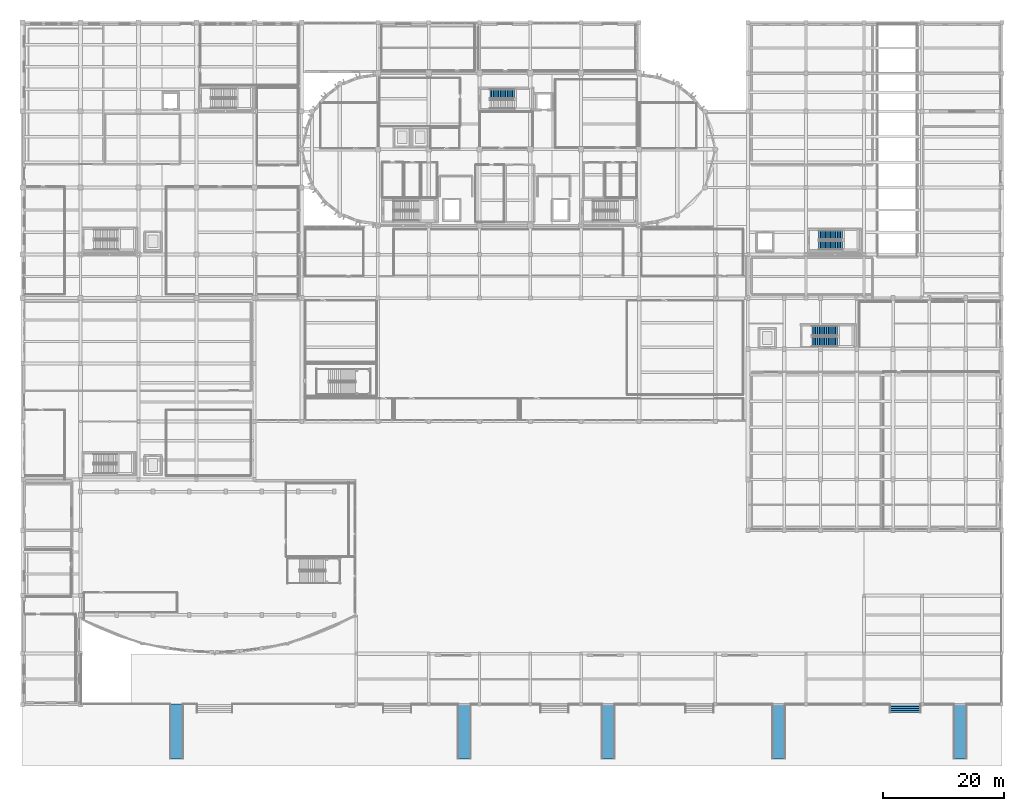
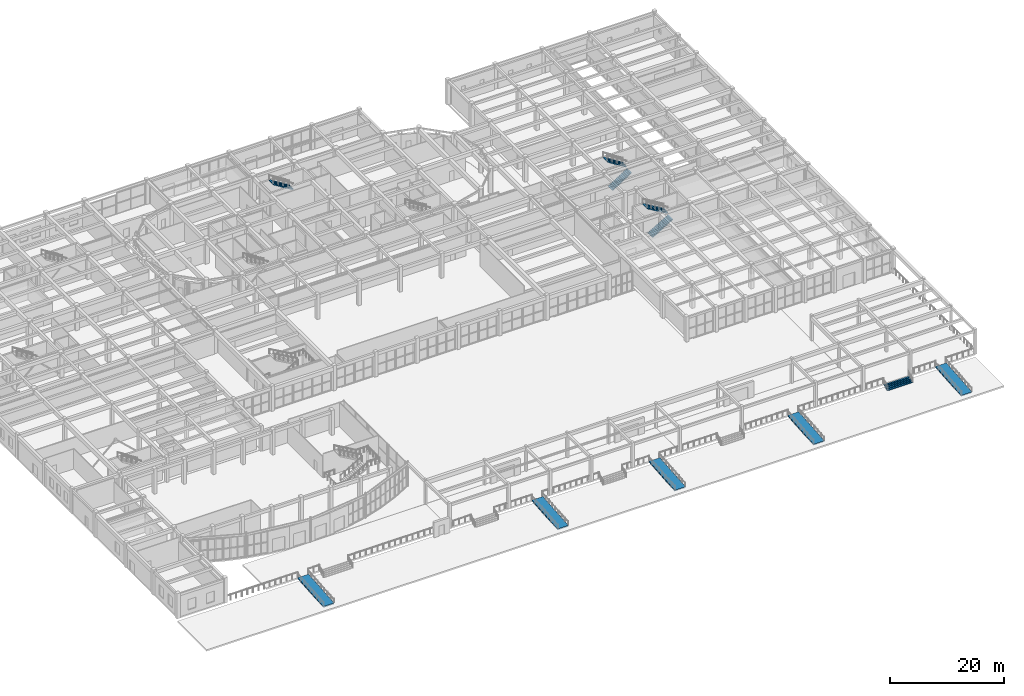
# One storey, part 79 of 98: 6 stair flights, 5 ramp flights, 9 elements without a shape of their own.
"""IFC4 building model written with IfcOpenShell, lengths in metres."""

from ifc_helpers import new_model, si_unit, direction, frame, origin, place, context, subcontext, project, spatial, polyline, outline, extrude, material, layer, layer_set, type_object, element, aggregate, save


model = new_model("IFC4")

# Units and contexts
model_context = context("Model", 3, precision=1e-05, world=origin(), true_north=direction((0.0, 1.0)))
body_context = subcontext(model_context, "Body", "Model", "MODEL_VIEW")
ifc_project = project(units=[si_unit("LENGTHUNIT", "METRE"), si_unit("AREAUNIT", "SQUARE_METRE"), si_unit("VOLUMEUNIT", "CUBIC_METRE"), si_unit("PLANEANGLEUNIT", "RADIAN"), si_unit("MASSUNIT", "GRAM", prefix="KILO")], contexts=[model_context])

# Site, building, storey
site_placement = place(None, origin())
site = spatial("IfcSite", under=ifc_project, at=site_placement, CompositionType="ELEMENT")
building_placement = place(site_placement, origin())
building = spatial("IfcBuilding", under=site, at=building_placement, Name="Tarnavel Promenade Courthouse", CompositionType="ELEMENT")
storey_placement = place(building_placement, origin())
storey = spatial("IfcBuildingStorey", under=building, at=storey_placement, Name="L01", CompositionType="ELEMENT", Elevation=0.0)

# Stair, stair flight
ifc_material = material(Name="Concrete C35/45", Category="concrete")
stair_type_1 = type_object("IfcStairType", Name="Concrete C35/45 Half-Turn Stair STR-05 (1520W-290G-30R)", PredefinedType="HALF_TURN_STAIR", material=ifc_material)
stair_1_placement = place(storey_placement, origin())
stair_1 = element("IfcStair", 1, at=stair_1_placement, inside=storey, type_object=stair_type_1, Name="L01 Central Judicial Chambers Exit Stair", PredefinedType="HALF_TURN_STAIR")
stair_flight_type_1 = type_object("IfcStairFlightType", Name="Concrete C35/45 Stair Flight STF-05 (1520W-290G-30R)", PredefinedType="STRAIGHT", material=ifc_material)
stair_flight_1_placement = place(storey_placement, frame((81.3798828125, 100.97998046875, 2.699951171875), z_axis=(0.0, 0.0, 1.0), x_axis=(-1.0, 0.0, 0.0)))
stair_flight_1 = element("IfcStairFlight", 2, at=stair_flight_1_placement, type_object=stair_flight_type_1, Name="ST-03 flight 2", NumberOfRisers=15, NumberOfTreads=14, PredefinedType="STRAIGHT", RiserHeight=0.18, TreadLength=0.29, context=body_context, shape_type="SweptSolid", body=[
    extrude(outline(polyline([(0.0, 0.0), (0.0, 0.179931640625), (0.2900390625, 0.179931640625), (0.2900390625, 0.360107421875), (0.580078125, 0.360107421875), (0.580078125, 0.5400390625), (0.8701171875, 0.5400390625), (0.8701171875, 0.719970703125), (1.159912109375, 0.719970703125), (1.159912109375, 0.89990234375), (1.449951171875, 0.89990234375), (1.449951171875, 1.080078125), (1.739990234375, 1.080078125), (1.739990234375, 1.260009765625), (2.030029296875, 1.260009765625), (2.030029296875, 1.43994140625), (2.320068359375, 1.43994140625), (2.320068359375, 1.6201171875), (2.610107421875, 1.6201171875), (2.610107421875, 1.800048828125), (2.89990234375, 1.800048828125), (2.89990234375, 1.97998046875), (3.18994140625, 1.97998046875), (3.18994140625, 2.159912109375), (3.47998046875, 2.159912109375), (3.47998046875, 2.340087890625), (3.77001953125, 2.340087890625), (3.77001953125, 2.52001953125), (4.06005859375, 2.52001953125), (4.06005859375, 2.699951171875), (4.06005859375, 2.343505859375), (0.2841796875, 0.0), (0.0, 0.0)])), frame((0.0, 0.760009765625, 0.0), z_axis=(0.0, -1.0, 0.0), x_axis=(1.0, 0.0, 0.0)), (0.0, 0.0, 1.0), 1.52001953125),
])
aggregate(stair_1, [stair_flight_1])

# Stair, stair flights
stair_type_2 = type_object("IfcStairType", Name="Concrete C35/45 Half-Turn Stair STR-16 (1500W-280G-30R)", PredefinedType="HALF_TURN_STAIR", material=ifc_material)
stair_2_placement = place(storey_placement, origin())
stair_2 = element("IfcStair", 3, at=stair_2_placement, inside=storey, type_object=stair_type_2, Name="L01 Custody Suite Protected Exit Stair", PredefinedType="HALF_TURN_STAIR")
stair_flight_type_2 = type_object("IfcStairFlightType", Name="Concrete C35/45 Stair Flight STF-16 (1500W-280G-30R)", PredefinedType="STRAIGHT", material=ifc_material)
stair_flight_2_placement = place(storey_placement, frame((131.699951171875, 75.949951171875, 0.0), z_axis=(0.0, 0.0, 1.0), x_axis=(1.0, 0.0, 0.0)))
stair_flight_2 = element("IfcStairFlight", 4, at=stair_flight_2_placement, type_object=stair_flight_type_2, Name="ST-06 flight 1", NumberOfRisers=15, NumberOfTreads=14, PredefinedType="STRAIGHT", RiserHeight=0.18, TreadLength=0.28, context=body_context, shape_type="SweptSolid", body=[
    extrude(outline(polyline([(0.0, 0.0), (0.0, 0.179931640625), (0.280029296875, 0.179931640625), (0.280029296875, 0.360107421875), (0.56005859375, 0.360107421875), (0.56005859375, 0.5400390625), (0.840087890625, 0.5400390625), (0.840087890625, 0.719970703125), (1.1201171875, 0.719970703125), (1.1201171875, 0.89990234375), (1.39990234375, 0.89990234375), (1.39990234375, 1.080078125), (1.679931640625, 1.080078125), (1.679931640625, 1.260009765625), (1.9599609375, 1.260009765625), (1.9599609375, 1.43994140625), (2.239990234375, 1.43994140625), (2.239990234375, 1.6201171875), (2.52001953125, 1.6201171875), (2.52001953125, 1.800048828125), (2.800048828125, 1.800048828125), (2.800048828125, 1.97998046875), (3.080078125, 1.97998046875), (3.080078125, 2.159912109375), (3.360107421875, 2.159912109375), (3.360107421875, 2.340087890625), (3.639892578125, 2.340087890625), (3.639892578125, 2.52001953125), (3.919921875, 2.52001953125), (3.919921875, 2.699951171875), (3.919921875, 2.341796875), (0.277099609375, 0.0), (0.0, 0.0)])), frame((0.0, 0.75, 0.0), z_axis=(0.0, -1.0, 0.0), x_axis=(1.0, 0.0, 0.0)), (0.0, 0.0, 1.0), 1.5),
])
stair_flight_3_placement = place(storey_placement, frame((135.6201171875, 77.64990234375, 2.699951171875), z_axis=(0.0, 0.0, 1.0), x_axis=(-1.0, 0.0, 0.0)))
stair_flight_3 = element("IfcStairFlight", 5, at=stair_flight_3_placement, type_object=stair_flight_type_2, Name="ST-06 flight 2", NumberOfRisers=15, NumberOfTreads=14, PredefinedType="STRAIGHT", RiserHeight=0.18, TreadLength=0.28, context=body_context, shape_type="SweptSolid", body=[
    extrude(outline(polyline([(0.0, 0.0), (0.0, 0.179931640625), (0.280029296875, 0.179931640625), (0.280029296875, 0.360107421875), (0.56005859375, 0.360107421875), (0.56005859375, 0.5400390625), (0.840087890625, 0.5400390625), (0.840087890625, 0.719970703125), (1.1201171875, 0.719970703125), (1.1201171875, 0.89990234375), (1.39990234375, 0.89990234375), (1.39990234375, 1.080078125), (1.679931640625, 1.080078125), (1.679931640625, 1.260009765625), (1.9599609375, 1.260009765625), (1.9599609375, 1.43994140625), (2.239990234375, 1.43994140625), (2.239990234375, 1.6201171875), (2.52001953125, 1.6201171875), (2.52001953125, 1.800048828125), (2.800048828125, 1.800048828125), (2.800048828125, 1.97998046875), (3.080078125, 1.97998046875), (3.080078125, 2.159912109375), (3.360107421875, 2.159912109375), (3.360107421875, 2.340087890625), (3.639892578125, 2.340087890625), (3.639892578125, 2.52001953125), (3.919921875, 2.52001953125), (3.919921875, 2.699951171875), (3.919921875, 2.341796875), (0.277099609375, 0.0), (0.0, 0.0)])), frame((0.0, 0.75, 0.0), z_axis=(0.0, -1.0, 0.0), x_axis=(1.0, 0.0, 0.0)), (0.0, 0.0, 1.0), 1.5),
])
aggregate(stair_2, [stair_flight_2, stair_flight_3])

stair_type_3 = type_object("IfcStairType", Name="Concrete C35/45 Half-Turn Stair STR-18 (1600W-300G-30R)", PredefinedType="HALF_TURN_STAIR", material=ifc_material)
stair_3_placement = place(storey_placement, origin())
stair_3 = element("IfcStair", 6, at=stair_3_placement, inside=storey, type_object=stair_type_3, Name="L01 Ceremonial Pavilion Exit Stair", PredefinedType="HALF_TURN_STAIR")
stair_flight_type_3 = type_object("IfcStairFlightType", Name="Concrete C35/45 Stair Flight STF-18 (1600W-300G-30R)", PredefinedType="STRAIGHT", material=ifc_material)
stair_flight_4_placement = place(storey_placement, frame((130.60009765625, 60.0, 0.0), z_axis=(0.0, 0.0, 1.0), x_axis=(1.0, 0.0, 0.0)))
stair_flight_4 = element("IfcStairFlight", 7, at=stair_flight_4_placement, type_object=stair_flight_type_3, Name="ST-08 flight 1", NumberOfRisers=15, NumberOfTreads=14, PredefinedType="STRAIGHT", RiserHeight=0.18, TreadLength=0.3, context=body_context, shape_type="SweptSolid", body=[
    extrude(outline(polyline([(0.0, 0.0), (0.0, 0.179931640625), (0.300048828125, 0.179931640625), (0.300048828125, 0.360107421875), (0.60009765625, 0.360107421875), (0.60009765625, 0.5400390625), (0.89990234375, 0.5400390625), (0.89990234375, 0.719970703125), (1.199951171875, 0.719970703125), (1.199951171875, 0.89990234375), (1.5, 0.89990234375), (1.5, 1.080078125), (1.800048828125, 1.080078125), (1.800048828125, 1.260009765625), (2.10009765625, 1.260009765625), (2.10009765625, 1.43994140625), (2.39990234375, 1.43994140625), (2.39990234375, 1.6201171875), (2.699951171875, 1.6201171875), (2.699951171875, 1.800048828125), (3.0, 1.800048828125), (3.0, 1.97998046875), (3.300048828125, 1.97998046875), (3.300048828125, 2.159912109375), (3.60009765625, 2.159912109375), (3.60009765625, 2.340087890625), (3.89990234375, 2.340087890625), (3.89990234375, 2.52001953125), (4.199951171875, 2.52001953125), (4.199951171875, 2.699951171875), (4.199951171875, 2.34521484375), (0.291259765625, 0.0), (0.0, 0.0)])), frame((0.0, 0.800048828125, 0.0), z_axis=(0.0, -1.0, 0.0), x_axis=(1.0, 0.0, 0.0)), (0.0, 0.0, 1.0), 1.60009765625),
])
stair_flight_5_placement = place(storey_placement, frame((134.800048828125, 61.800048828125, 2.699951171875), z_axis=(0.0, 0.0, 1.0), x_axis=(-1.0, 0.0, 0.0)))
stair_flight_5 = element("IfcStairFlight", 8, at=stair_flight_5_placement, type_object=stair_flight_type_3, Name="ST-08 flight 2", NumberOfRisers=15, NumberOfTreads=14, PredefinedType="STRAIGHT", RiserHeight=0.18, TreadLength=0.3, context=body_context, shape_type="SweptSolid", body=[
    extrude(outline(polyline([(0.0, 0.0), (0.0, 0.179931640625), (0.300048828125, 0.179931640625), (0.300048828125, 0.360107421875), (0.60009765625, 0.360107421875), (0.60009765625, 0.5400390625), (0.89990234375, 0.5400390625), (0.89990234375, 0.719970703125), (1.199951171875, 0.719970703125), (1.199951171875, 0.89990234375), (1.5, 0.89990234375), (1.5, 1.080078125), (1.800048828125, 1.080078125), (1.800048828125, 1.260009765625), (2.10009765625, 1.260009765625), (2.10009765625, 1.43994140625), (2.39990234375, 1.43994140625), (2.39990234375, 1.6201171875), (2.699951171875, 1.6201171875), (2.699951171875, 1.800048828125), (3.0, 1.800048828125), (3.0, 1.97998046875), (3.300048828125, 1.97998046875), (3.300048828125, 2.159912109375), (3.60009765625, 2.159912109375), (3.60009765625, 2.340087890625), (3.89990234375, 2.340087890625), (3.89990234375, 2.52001953125), (4.199951171875, 2.52001953125), (4.199951171875, 2.699951171875), (4.199951171875, 2.34521484375), (0.291259765625, 0.0), (0.0, 0.0)])), frame((0.0, 0.800048828125, 0.0), z_axis=(0.0, -1.0, 0.0), x_axis=(1.0, 0.0, 0.0)), (0.0, 0.0, 1.0), 1.60009765625),
])
aggregate(stair_3, [stair_flight_4, stair_flight_5])

# Stair, stair flight
stair_type_4 = type_object("IfcStairType", Name="Subarctic Granite Plinth Stair ST-15 (5200W)", PredefinedType="STRAIGHT_RUN_STAIR", material=ifc_material)
stair_4_placement = place(storey_placement, origin())
stair_4 = element("IfcStair", 9, at=stair_4_placement, inside=storey, type_object=stair_type_4, Name="East Ceremonial Portico Plinth Steps", PredefinedType="STRAIGHT_RUN_STAIR")
stair_flight_type_4 = type_object("IfcStairFlightType", Name="Subarctic Granite Plinth Flight ST-15 (5200W)", PredefinedType="STRAIGHT", material=ifc_material)
stair_flight_6_placement = place(storey_placement, frame((146.0, -1.360107421875, -0.75), z_axis=(0.0, 0.0, 1.0), x_axis=(0.0, 1.0, 0.0)))
stair_flight_6 = element("IfcStairFlight", 10, at=stair_flight_6_placement, type_object=stair_flight_type_4, Name="ST-15 flight 1", NumberOfRisers=5, NumberOfTreads=4, PredefinedType="STRAIGHT", RiserHeight=0.15, TreadLength=0.34, context=body_context, shape_type="SweptSolid", body=[
    extrude(outline(polyline([(0.0, 0.0), (0.0, 0.14990234375), (0.340087890625, 0.14990234375), (0.340087890625, 0.300048828125), (0.679931640625, 0.300048828125), (0.679931640625, 0.449951171875), (1.02001953125, 0.449951171875), (1.02001953125, 0.60009765625), (1.360107421875, 0.60009765625), (1.360107421875, 0.75), (1.360107421875, 0.561767578125), (0.08642578125, 0.0), (0.0, 0.0)])), frame((0.0, 2.60009765625, 0.0), z_axis=(0.0, -1.0, 0.0), x_axis=(1.0, 0.0, 0.0)), (0.0, 0.0, 1.0), 5.199951171875),
])
aggregate(stair_4, [stair_flight_6])

# Ramp, ramp flight
ifc_layer_1 = layer(ifc_material, 0.25)
ifc_layer_set_1 = layer_set([ifc_layer_1], Name="Concrete C35/45")
ramp_type = type_object("IfcRampType", Name="Concrete C35/45 Heated Plinth Ramp", PredefinedType="STRAIGHT_RUN_RAMP", material=ifc_layer_set_1)
ramp_1_placement = place(storey_placement, origin())
ramp_1 = element("IfcRamp", 11, at=ramp_1_placement, inside=storey, type_object=ramp_type, Name="Promenade Main Portal Accessible Heated Ramp", PredefinedType="STRAIGHT_RUN_RAMP")
ifc_layer_2 = layer(ifc_material, 0.25)
ifc_layer_set_2 = layer_set([ifc_layer_2], Name="Concrete C35/45")
ramp_flight_type = type_object("IfcRampFlightType", Name="Concrete C35/45 Heated Plinth Ramp Flight 250", PredefinedType="STRAIGHT", material=ifc_layer_set_2)
ramp_flight_1_placement = place(storey_placement, frame((24.39990234375, -9.0, -0.75), z_axis=(0.0, -0.082589360731, 0.996583663068), x_axis=(1.0, 0.0, 0.0)))
ramp_flight_1 = element("IfcRampFlight", 12, at=ramp_flight_1_placement, type_object=ramp_flight_type, Name="Promenade Main Portal Accessible Heated Ramp Flight", PredefinedType="STRAIGHT", context=body_context, shape_type="SweptSolid", body=[
    extrude(outline(polyline([(0.0, 0.0), (2.2001953125, 0.0), (2.2001953125, 9.081072832625377), (0.0, 9.081072832625377), (0.0, 0.0)])), origin(), (0.0, 0.0, -1.0), 0.25),
])
aggregate(ramp_1, [ramp_flight_1])

ramp_2_placement = place(storey_placement, origin())
ramp_2 = element("IfcRamp", 13, at=ramp_2_placement, inside=storey, type_object=ramp_type, Name="Promenade Colonnade Accessible Heated Ramp West", PredefinedType="STRAIGHT_RUN_RAMP")
ramp_flight_2_placement = place(storey_placement, frame((72.0, -9.0, -0.75), z_axis=(0.0, -0.082589360731, 0.996583663068), x_axis=(1.0, 0.0, 0.0)))
ramp_flight_2 = element("IfcRampFlight", 14, at=ramp_flight_2_placement, type_object=ramp_flight_type, Name="Promenade Colonnade Accessible Heated Ramp West Flight", PredefinedType="STRAIGHT", context=body_context, shape_type="SweptSolid", body=[
    extrude(outline(polyline([(0.0, 0.0), (2.199951171875, 0.0), (2.199951171875, 9.081072832625377), (0.0, 9.081072832625377), (0.0, 0.0)])), origin(), (0.0, 0.0, -1.0), 0.25),
])
aggregate(ramp_2, [ramp_flight_2])

ramp_3_placement = place(storey_placement, origin())
ramp_3 = element("IfcRamp", 15, at=ramp_3_placement, inside=storey, type_object=ramp_type, Name="Promenade Colonnade Accessible Heated Ramp Central", PredefinedType="STRAIGHT_RUN_RAMP")
ramp_flight_3_placement = place(storey_placement, frame((95.800048828125, -9.0, -0.75), z_axis=(0.0, -0.082589360731, 0.996583663068), x_axis=(1.0, 0.0, 0.0)))
ramp_flight_3 = element("IfcRampFlight", 16, at=ramp_flight_3_placement, type_object=ramp_flight_type, Name="Promenade Colonnade Accessible Heated Ramp Central Flight", PredefinedType="STRAIGHT", context=body_context, shape_type="SweptSolid", body=[
    extrude(outline(polyline([(0.0, 0.0), (2.199951171875, 0.0), (2.199951171875, 9.081072832625377), (0.0, 9.081072832625377), (0.0, 0.0)])), origin(), (0.0, 0.0, -1.0), 0.25),
])
aggregate(ramp_3, [ramp_flight_3])

ramp_4_placement = place(storey_placement, origin())
ramp_4 = element("IfcRamp", 17, at=ramp_4_placement, inside=storey, type_object=ramp_type, Name="Promenade Colonnade Accessible Heated Ramp East", PredefinedType="STRAIGHT_RUN_RAMP")
ramp_flight_4_placement = place(storey_placement, frame((124.0, -9.0, -0.75), z_axis=(0.0, -0.082589360731, 0.996583663068), x_axis=(1.0, 0.0, 0.0)))
ramp_flight_4 = element("IfcRampFlight", 18, at=ramp_flight_4_placement, type_object=ramp_flight_type, Name="Promenade Colonnade Accessible Heated Ramp East Flight", PredefinedType="STRAIGHT", context=body_context, shape_type="SweptSolid", body=[
    extrude(outline(polyline([(0.0, 0.0), (2.199951171875, 0.0), (2.199951171875, 9.081072832625377), (0.0, 9.081072832625377), (0.0, 0.0)])), origin(), (0.0, 0.0, -1.0), 0.25),
])
aggregate(ramp_4, [ramp_flight_4])

ramp_5_placement = place(storey_placement, origin())
ramp_5 = element("IfcRamp", 19, at=ramp_5_placement, inside=storey, type_object=ramp_type, Name="East Ceremonial Portico Accessible Heated Ramp", PredefinedType="STRAIGHT_RUN_RAMP")
ramp_flight_5_placement = place(storey_placement, frame((154.0, -9.0, -0.75), z_axis=(0.0, -0.082589360731, 0.996583663068), x_axis=(1.0, 0.0, 0.0)))
ramp_flight_5 = element("IfcRampFlight", 20, at=ramp_flight_5_placement, type_object=ramp_flight_type, Name="East Ceremonial Portico Accessible Heated Ramp Flight", PredefinedType="STRAIGHT", context=body_context, shape_type="SweptSolid", body=[
    extrude(outline(polyline([(0.0, 0.0), (2.199951171875, 0.0), (2.199951171875, 9.081072832625377), (0.0, 9.081072832625377), (0.0, 0.0)])), origin(), (0.0, 0.0, -1.0), 0.25),
])
aggregate(ramp_5, [ramp_flight_5])

save(model, "model.ifc")
